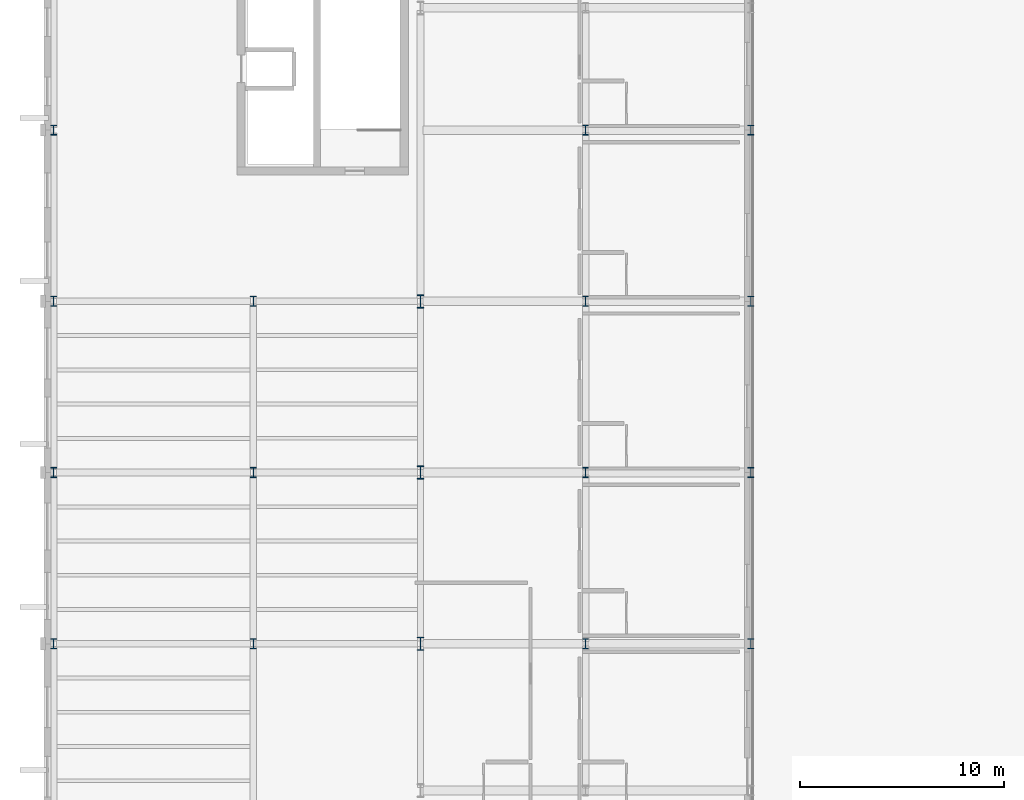
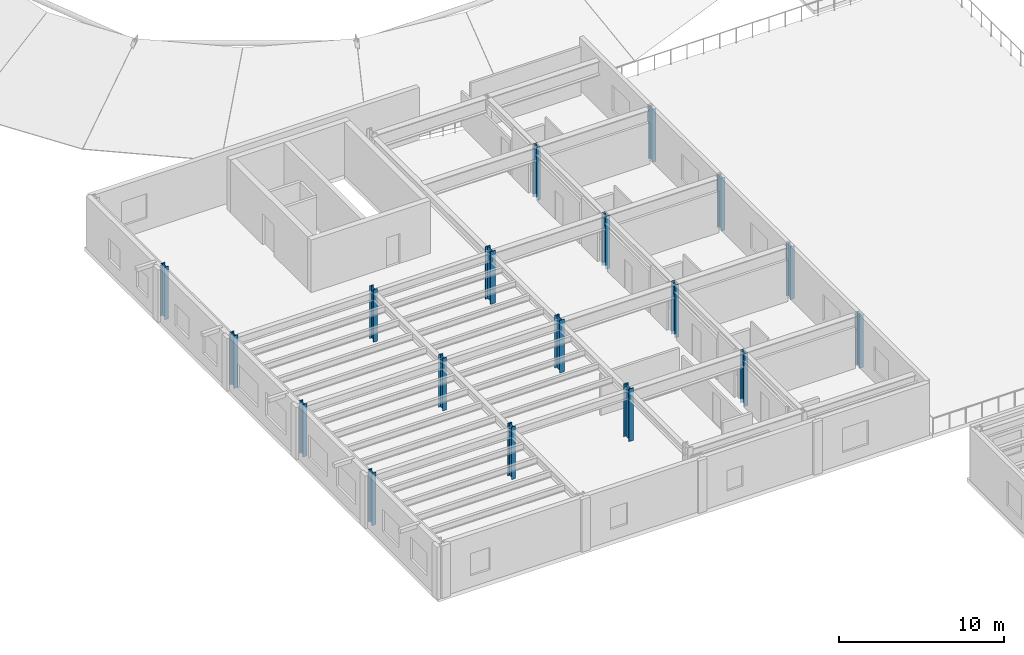
# One storey, part 3 of 59: 18 columns.
"""IFC4 building model written with IfcOpenShell, lengths in metres."""

from ifc_helpers import new_model, si_unit, direction, frame, origin, origin_2d, place, context, subcontext, project, spatial, i_section, extrude, material, material_profile, profile_set, type_object, element, save


model = new_model("IFC4")

# Units and contexts
model_context = context("Model", 3, precision=1e-05, world=origin(), true_north=direction((0.0, 1.0)))
body_context = subcontext(model_context, "Body", "Model", "MODEL_VIEW")
ifc_project = project(units=[si_unit("LENGTHUNIT", "METRE"), si_unit("AREAUNIT", "SQUARE_METRE"), si_unit("VOLUMEUNIT", "CUBIC_METRE"), si_unit("PLANEANGLEUNIT", "RADIAN"), si_unit("MASSUNIT", "GRAM", prefix="KILO")], contexts=[model_context])

# Site, building, storey
site_placement = place(None, origin())
site = spatial("IfcSite", under=ifc_project, at=site_placement, CompositionType="ELEMENT")
building_placement = place(site_placement, origin())
building = spatial("IfcBuilding", under=site, at=building_placement, Name="Sollismere Congress Hotel", CompositionType="ELEMENT")
storey_placement = place(building_placement, frame((0.0, 0.0, 15.60009765625)))
storey = spatial("IfcBuildingStorey", under=building, at=storey_placement, Name="L03", CompositionType="ELEMENT", Elevation=15.60009765625)

# Columns
ifc_material = material(Name="Steel ASTM A992 Grade 50", Category="steel")
ifc_material_profile_1 = material_profile(ifc_material, i_section(OverallWidth=0.283935546875, OverallDepth=0.4951171875, WebThickness=0.0185546875, FlangeThickness=0.033447265625, at=origin_2d()), Name="W18X143")
ifc_profile_set_1 = profile_set([ifc_material_profile_1], Name="Steel ASTM A992 Grade 50")
column_type_1 = type_object("IfcColumnType", Name="COL-W18", PredefinedType="COLUMN", material=ifc_profile_set_1)
for number, where, z_axis, x_axis, name in (
    (1, (0.0, 33.199951171875, 0.0), (0.0, 0.0, 1.0), (1.0, 0.0, 0.0), "Column CL-L03-013"),
    (2, (0.0, 41.60009765625, 0.0), (0.0, 0.0, 1.0), (1.0, 0.0, 0.0), "Column CL-L03-018"),
    (3, (0.0, 50.0, 0.0), (0.0, 0.0, 1.0), (1.0, 0.0, 0.0), "Column CL-L03-023"),
    (4, (0.0, 58.39990234375, 0.0), (0.0, 0.0, 1.0), (1.0, 0.0, 0.0), "Column CL-L03-028"),
    (5, (9.800048828125, 33.199951171875, 0.0), (0.0, 0.0, 1.0), (1.0, 0.0, 0.0), "Column CL-L03-051"),
    (6, (9.800048828125, 41.60009765625, 0.0), (0.0, 0.0, 1.0), (1.0, 0.0, 0.0), "Column CL-L03-057"),
    (7, (9.800048828125, 50.0, 0.0), (0.0, 0.0, 1.0), (1.0, 0.0, 0.0), "Column CL-L03-063"),
):
    element("IfcColumn", number, at=place(storey_placement, frame(where, z_axis=z_axis, x_axis=x_axis)), inside=storey, type_object=column_type_1, Name=name, PredefinedType="COLUMN", context=body_context, shape_type="SweptSolid", body=[
        extrude(i_section(OverallWidth=0.283935546875, OverallDepth=0.4951171875, WebThickness=0.0185546875, FlangeThickness=0.033447265625, at=origin_2d()), origin(), (0.0, 0.0, 1.0), 3.89990234375),
    ])
for number, where, z_axis, x_axis, name in (
    (8, (26.10009765625, 33.199951171875, -0.300048828125), (0.0, 0.0, 1.0), (1.0, 0.0, 0.0), "COL-V3P-22"),
    (9, (34.199951171875, 33.199951171875, -0.300048828125), (0.0, 0.0, 1.0), (1.0, 0.0, 0.0), "COL-V3P-24"),
    (10, (26.10009765625, 41.60009765625, -0.300048828125), (0.0, 0.0, 1.0), (1.0, 0.0, 0.0), "COL-V3P-32"),
    (11, (34.199951171875, 41.60009765625, -0.300048828125), (0.0, 0.0, 1.0), (1.0, 0.0, 0.0), "COL-V3P-34"),
    (12, (26.10009765625, 50.0, -0.300048828125), (0.0, 0.0, 1.0), (1.0, 0.0, 0.0), "COL-V3P-42"),
    (13, (34.199951171875, 50.0, -0.300048828125), (0.0, 0.0, 1.0), (1.0, 0.0, 0.0), "COL-V3P-44"),
    (14, (26.10009765625, 58.39990234375, -0.300048828125), (0.0, 0.0, 1.0), (1.0, 0.0, 0.0), "COL-V3P-52"),
    (15, (34.199951171875, 58.39990234375, -0.300048828125), (0.0, 0.0, 1.0), (1.0, 0.0, 0.0), "COL-V3P-54"),
):
    element("IfcColumn", number, at=place(storey_placement, frame(where, z_axis=z_axis, x_axis=x_axis)), inside=storey, type_object=column_type_1, Name=name, PredefinedType="COLUMN", context=body_context, shape_type="SweptSolid", body=[
        extrude(i_section(OverallWidth=0.283935546875, OverallDepth=0.4951171875, WebThickness=0.0185546875, FlangeThickness=0.033447265625, at=origin_2d()), origin(), (0.0, 0.0, 1.0), 3.925048828125),
    ])
ifc_material_profile_2 = material_profile(ifc_material, i_section(OverallWidth=0.3330078125, OverallDepth=0.659912109375, WebThickness=0.0244140625, FlangeThickness=0.0439453125, at=origin_2d()), Name="W24X229")
ifc_profile_set_2 = profile_set([ifc_material_profile_2], Name="Steel ASTM A992 Grade 50")
column_type_2 = type_object("IfcColumnType", Name="COL-W24", PredefinedType="COLUMN", material=ifc_profile_set_2)
for number, where, z_axis, x_axis, name in (
    (16, (18.0, 33.199951171875, 0.0), (0.0, 0.0, 1.0), (1.0, 0.0, 0.0), "Column CL-L03-082"),
    (17, (18.0, 41.60009765625, 0.0), (0.0, 0.0, 1.0), (1.0, 0.0, 0.0), "Column CL-L03-088"),
    (18, (18.0, 50.0, 0.0), (0.0, 0.0, 1.0), (1.0, 0.0, 0.0), "Column CL-L03-094"),
):
    element("IfcColumn", number, at=place(storey_placement, frame(where, z_axis=z_axis, x_axis=x_axis)), inside=storey, type_object=column_type_2, Name=name, PredefinedType="COLUMN", context=body_context, shape_type="SweptSolid", body=[
        extrude(i_section(OverallWidth=0.3330078125, OverallDepth=0.659912109375, WebThickness=0.0244140625, FlangeThickness=0.0439453125, at=origin_2d()), origin(), (0.0, 0.0, 1.0), 3.89990234375),
    ])

save(model, "model.ifc")
